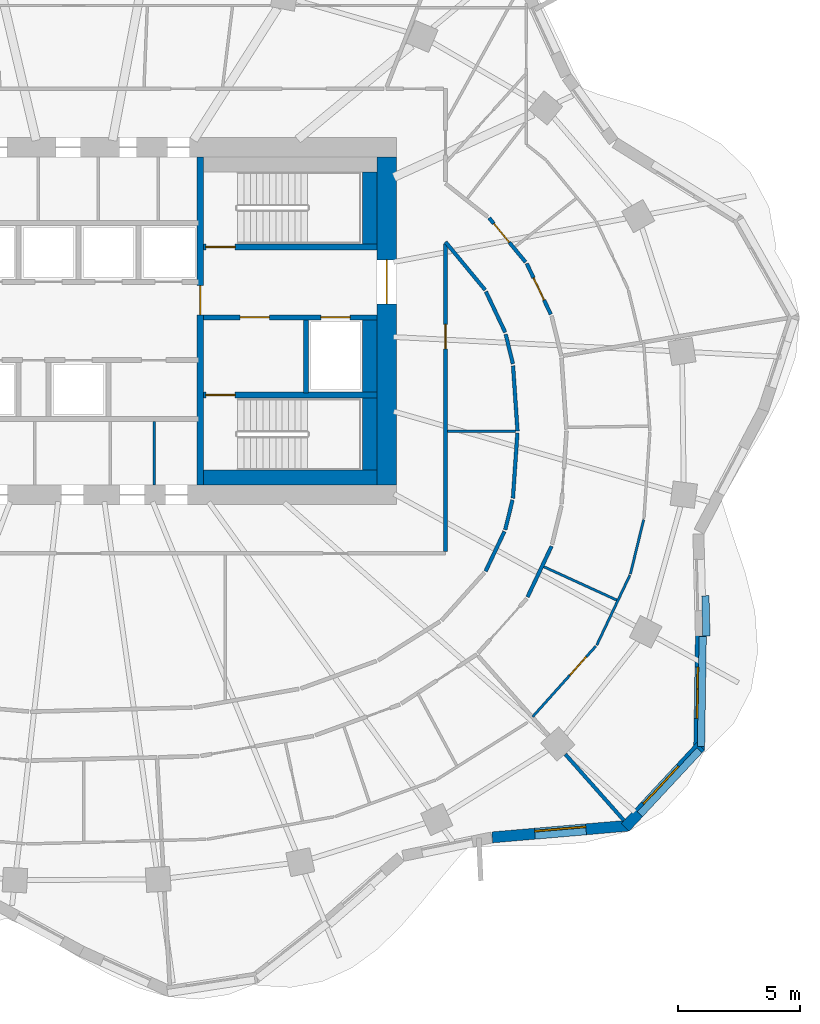
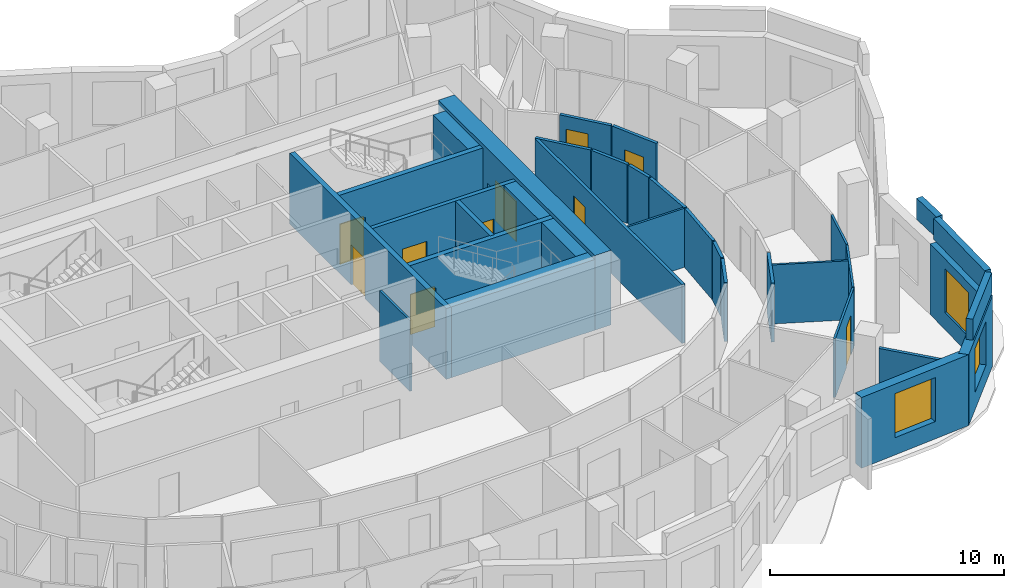
# One storey, part 7 of 12: 34 walls, 10 doors, 3 windows, 13 openings.
"""IFC4 building model written with IfcOpenShell, lengths in metres."""

from ifc_helpers import new_model, si_unit, direction, frame, frame_2d, origin, place, context, subcontext, project, spatial, rectangle, extrude, material, layer, layer_set, type_object, element, fill, save


model = new_model("IFC4")

# Units and contexts
model_context = context("Model", 3, precision=1e-05, world=origin(), true_north=direction((0.0, 1.0)))
body_context = subcontext(model_context, "Body", "Model", "MODEL_VIEW")
ifc_project = project(units=[si_unit("LENGTHUNIT", "METRE"), si_unit("AREAUNIT", "SQUARE_METRE"), si_unit("VOLUMEUNIT", "CUBIC_METRE"), si_unit("PLANEANGLEUNIT", "RADIAN"), si_unit("MASSUNIT", "GRAM", prefix="KILO")], contexts=[model_context])

# Site, building, storey
site_placement = place(None, origin())
site = spatial("IfcSite", under=ifc_project, at=site_placement, CompositionType="ELEMENT")
building_placement = place(site_placement, origin())
building = spatial("IfcBuilding", under=site, at=building_placement, Name="Rubra Terraces Tower", CompositionType="ELEMENT")
storey_placement = place(building_placement, frame((0.0, 0.0, 201.300048828125)))
storey = spatial("IfcBuildingStorey", under=building, at=storey_placement, Name="L49", CompositionType="ELEMENT", Elevation=201.300048828125)

# Wall, opening, window
ifc_material_1 = material(Name="Brick masonry red-brown", Category="masonry")
ifc_layer_1 = layer(ifc_material_1, 0.449951171875)
ifc_layer_set_1 = layer_set([ifc_layer_1], Name="Brick masonry red-brown")
wall_type_1 = type_object("IfcWallType", Name="Brick facade wall 450", PredefinedType="SOLIDWALL", material=ifc_layer_set_1)
wall_1_placement = place(storey_placement, frame((16.91015625, -16.610107421875, 0.0), z_axis=(0.0, 0.0, 1.0), x_axis=(0.996333165816, 0.085558299972, 0.0)))
wall_1 = element("IfcWall", 1, at=wall_1_placement, inside=storey, type_object=wall_type_1, Name="Facade wall L49 bay 36", PredefinedType="SOLIDWALL", context=body_context, shape_type="SweptSolid", body=[
    extrude(rectangle(XDim=5.595703125, YDim=0.449951171875, at=frame_2d((2.7978515625, 0.0))), origin(), (0.0, 0.0, 1.0), 3.699951171875),
])
opening_1_placement = place(wall_1_placement, frame((1.747802734375, 0.0, 0.89990234375)))
opening_1 = element("IfcOpeningElement", 2, at=opening_1_placement, cuts=wall_1, Name="Opening W1B", PredefinedType="OPENING", context=body_context, shape_type="SweptSolid", body=[
    extrude(rectangle(XDim=2.10009765625, YDim=2.300048828125, at=frame_2d((1.050048828125, 1.14990234375))), frame((0.0, 0.23486328125, 0.0), z_axis=(0.0, -1.0, 0.0), x_axis=(1.0, 0.0, 0.0)), (0.0, 0.0, 1.0), 0.469970703125),
])
ifc_material_2 = material(Name="Clear glass in aluminium frame", Category="aluminium")
window_type = type_object("IfcWindowType", Name="Fixed deep-set window tall storey 2100 x 2300", PartitioningType="SINGLE_PANEL", PredefinedType="WINDOW", material=ifc_material_2)
window_1_placement = place(opening_1_placement, origin())
window_1 = element("IfcWindow", 3, at=window_1_placement, inside=storey, type_object=window_type, Name="Window L49 bay 36", OverallHeight=2.300048828125, OverallWidth=2.10009765625, PartitioningType="SINGLE_PANEL", PredefinedType="WINDOW", context=body_context, shape_type="SweptSolid", body=[
    extrude(rectangle(XDim=2.10009765625, YDim=2.300048828125, at=frame_2d((1.050048828125, 1.14990234375))), frame((0.0, 0.135009765625, 0.0), z_axis=(0.0, -1.0, 0.0), x_axis=(1.0, 0.0, 0.0)), (0.0, 0.0, 1.0), 0.06005859375),
])
fill(opening_1, window_1)

wall_2_placement = place(storey_placement, frame((22.34521484375, -16.20166015625, 0.0), z_axis=(0.0, 0.0, 1.0), x_axis=(0.681249161265, 0.732051624051, 0.0)))
wall_2 = element("IfcWall", 4, at=wall_2_placement, inside=storey, type_object=wall_type_1, Name="Facade wall L49 bay 37", PredefinedType="SOLIDWALL", context=body_context, shape_type="SweptSolid", body=[
    extrude(rectangle(XDim=4.52685546875, YDim=0.449951171875, at=frame_2d((2.263427734375, 0.0))), origin(), (0.0, 0.0, 1.0), 3.699951171875),
])
opening_2_placement = place(wall_2_placement, frame((1.21337890625, 0.0, 0.89990234375)))
opening_2 = element("IfcOpeningElement", 5, at=opening_2_placement, cuts=wall_2, Name="Opening W1B", PredefinedType="OPENING", context=body_context, shape_type="SweptSolid", body=[
    extrude(rectangle(XDim=2.10009765625, YDim=2.300048828125, at=frame_2d((1.050048828125, 1.14990234375))), frame((0.0, 0.23486328125, 0.0), z_axis=(0.0, -1.0, 0.0), x_axis=(1.0, 0.0, 0.0)), (0.0, 0.0, 1.0), 0.469970703125),
])
window_2_placement = place(opening_2_placement, origin())
window_2 = element("IfcWindow", 6, at=window_2_placement, inside=storey, type_object=window_type, Name="Window L49 bay 37", OverallHeight=2.300048828125, OverallWidth=2.10009765625, PartitioningType="SINGLE_PANEL", PredefinedType="WINDOW", context=body_context, shape_type="SweptSolid", body=[
    extrude(rectangle(XDim=2.10009765625, YDim=2.300048828125, at=frame_2d((1.050048828125, 1.14990234375))), frame((0.0, 0.135009765625, 0.0), z_axis=(0.0, -1.0, 0.0), x_axis=(1.0, 0.0, 0.0)), (0.0, 0.0, 1.0), 0.06005859375),
])
fill(opening_2, window_2)

wall_3_placement = place(storey_placement, frame((25.369140625, -13.031982421875, 0.0), z_axis=(0.0, 0.0, 1.0), x_axis=(0.015383599855, 0.999881665426, 0.0)))
wall_3 = element("IfcWall", 7, at=wall_3_placement, inside=storey, type_object=wall_type_1, Name="Facade wall L49 bay 38", PredefinedType="SOLIDWALL", context=body_context, shape_type="SweptSolid", body=[
    extrude(rectangle(XDim=4.665771484375, YDim=0.449951171875, at=frame_2d((2.3330078125, 0.0))), origin(), (0.0, 0.0, 1.0), 3.699951171875),
])
opening_3_placement = place(wall_3_placement, frame((1.282958984375, 0.0, 0.89990234375)))
opening_3 = element("IfcOpeningElement", 8, at=opening_3_placement, cuts=wall_3, Name="Opening W1B", PredefinedType="OPENING", context=body_context, shape_type="SweptSolid", body=[
    extrude(rectangle(XDim=2.10009765625, YDim=2.300048828125, at=frame_2d((1.050048828125, 1.14990234375))), frame((0.0, 0.23486328125, 0.0), z_axis=(0.0, -1.0, 0.0), x_axis=(1.0, 0.0, 0.0)), (0.0, 0.0, 1.0), 0.469970703125),
])
window_3_placement = place(opening_3_placement, origin())
window_3 = element("IfcWindow", 9, at=window_3_placement, inside=storey, type_object=window_type, Name="Window L49 bay 38", OverallHeight=2.300048828125, OverallWidth=2.10009765625, PartitioningType="SINGLE_PANEL", PredefinedType="WINDOW", context=body_context, shape_type="SweptSolid", body=[
    extrude(rectangle(XDim=2.10009765625, YDim=2.300048828125, at=frame_2d((1.050048828125, 1.14990234375))), frame((0.0, 0.135009765625, 0.0), z_axis=(0.0, -1.0, 0.0), x_axis=(1.0, 0.0, 0.0)), (0.0, 0.0, 1.0), 0.06005859375),
])
fill(opening_3, window_3)

# Walls
ifc_layer_2 = layer(ifc_material_1, 0.300048828125)
ifc_layer_set_2 = layer_set([ifc_layer_2], Name="Brick masonry red-brown")
wall_type_2 = type_object("IfcWallType", Name="Brick parapet 300", PredefinedType="PARAPET", material=ifc_layer_set_2)
wall_4_placement = place(storey_placement, frame((22.947509765625, -15.66455078125, 3.89990234375), z_axis=(0.0, 0.0, 1.0), x_axis=(0.681269800001, 0.732032417046, 0.0)))
element("IfcWall", 10, at=wall_4_placement, inside=storey, type_object=wall_type_2, Name="Parapet L49 bay 37", PredefinedType="PARAPET", context=body_context, shape_type="SweptSolid", body=[
    extrude(rectangle(XDim=3.578125, YDim=0.300048828125, at=frame_2d((1.7890625, 0.0))), origin(), (0.0, 0.0, 1.0), 1.10009765625),
])
wall_5_placement = place(storey_placement, frame((25.4462890625, -12.893310546875, 3.89990234375), z_axis=(0.0, 0.0, 1.0), x_axis=(0.015386139974, 0.999881626342, 0.0)))
element("IfcWall", 11, at=wall_5_placement, inside=storey, type_object=wall_type_2, Name="Parapet L49 bay 38", PredefinedType="PARAPET", context=body_context, shape_type="SweptSolid", body=[
    extrude(rectangle(XDim=4.490478515625, YDim=0.300048828125, at=frame_2d((2.2451171875, 0.0))), origin(), (0.0, 0.0, 1.0), 1.10009765625),
])
wall_6_placement = place(storey_placement, frame((25.665771484375, -8.375732421875, 3.89990234375), z_axis=(0.0, 0.0, 1.0), x_axis=(-0.024357650064, 0.999703308429, 0.0)))
element("IfcWall", 12, at=wall_6_placement, inside=storey, type_object=wall_type_2, Name="Parapet L49 bay 39", PredefinedType="PARAPET", context=body_context, shape_type="SweptSolid", body=[
    extrude(rectangle(XDim=1.643798828125, YDim=0.300048828125, at=frame_2d((0.82177734375, 0.0))), origin(), (0.0, 0.0, 1.0), 1.10009765625),
])

# Wall, opening, door
ifc_material_3 = material(Name="Concrete C50", Category="concrete")
ifc_layer_3 = layer(ifc_material_3, 0.800048828125)
ifc_layer_set_3 = layer_set([ifc_layer_3], Name="Concrete C50")
wall_type_3 = type_object("IfcWallType", Name="CORE WALL 800 C50", PredefinedType="SHEAR", material=ifc_layer_set_3)
wall_7_placement = place(storey_placement, frame((12.60009765625, -2.199951171875, 0.0), z_axis=(0.0, 0.0, 1.0), x_axis=(0.0, 1.0, 0.0)))
wall_7 = element("IfcWall", 13, at=wall_7_placement, inside=storey, type_object=wall_type_3, Name="CORE WALL E L49", PredefinedType="SHEAR", context=body_context, shape_type="SweptSolid", body=[
    extrude(rectangle(XDim=13.39990234375, YDim=0.800048828125, at=frame_2d((6.699951171875, 0.0))), origin(), (0.0, 0.0, 1.0), 3.89990234375),
])
opening_4_placement = place(wall_7_placement, frame((7.39990234375, 0.0, 0.0)))
opening_4 = element("IfcOpeningElement", 14, at=opening_4_placement, cuts=wall_7, Name="Opening L49.C02", PredefinedType="OPENING", context=body_context, shape_type="SweptSolid", body=[
    extrude(rectangle(XDim=1.800048828125, YDim=2.10009765625, at=frame_2d((0.89990234375, 1.050048828125))), frame((0.0, 0.409912109375, 0.0), z_axis=(0.0, -1.0, 0.0), x_axis=(1.0, 0.0, 0.0)), (0.0, 0.0, 1.0), 0.820068359375),
])
ifc_material_4 = material(Name="Painted steel", Category="steel")
door_type_1 = type_object("IfcDoorType", Name="Fire door 1800x2100 double", OperationType="NOTDEFINED", PredefinedType="DOOR", material=ifc_material_4)
door_1_placement = place(opening_4_placement, origin())
door_1 = element("IfcDoor", 15, at=door_1_placement, inside=storey, type_object=door_type_1, Name="Core entrance door FF2", OperationType="DOUBLE_DOOR_SINGLE_SWING", OverallHeight=2.10009765625, OverallWidth=1.800048828125, PredefinedType="DOOR", context=body_context, shape_type="SweptSolid", body=[
    extrude(rectangle(XDim=1.800048828125, YDim=2.10009765625, at=frame_2d((0.89990234375, 1.050048828125))), frame((0.0, 0.02490234375, 0.0), z_axis=(0.0, -1.0, 0.0), x_axis=(1.0, 0.0, 0.0)), (0.0, 0.0, 1.0), 0.050048828125),
])
fill(opening_4, door_1)

ifc_material_5 = material(Name="Plasterboard on steel stud, mineral wool infill", Category="steel")
ifc_layer_4 = layer(ifc_material_5, 0.14990234375)
ifc_layer_set_4 = layer_set([ifc_layer_4], Name="Plasterboard on steel stud, mineral wool infill")
wall_type_4 = type_object("IfcWallType", Name="CORRIDOR PARTITION 150", PredefinedType="PARTITIONING", material=ifc_layer_set_4)
wall_8_placement = place(storey_placement, frame((19.305419921875, 4.7734375, 0.0), z_axis=(0.0, 0.0, 1.0), x_axis=(-0.428173054138, 0.903696760927, 0.0)))
wall_8 = element("IfcWall", 16, at=wall_8_placement, inside=storey, type_object=wall_type_4, Name="PARTITION", PredefinedType="PARTITIONING", context=body_context, shape_type="SweptSolid", body=[
    extrude(rectangle(XDim=2.299560546875, YDim=0.14990234375, at=frame_2d((1.14990234375, 0.0))), origin(), (0.0, 0.0, 1.0), 3.083984375),
])
opening_5_placement = place(wall_8_placement, frame((0.64990234375, 0.0, 0.0)))
opening_5 = element("IfcOpeningElement", 17, at=opening_5_placement, cuts=wall_8, Name="Opening 49-138", PredefinedType="OPENING", context=body_context, shape_type="SweptSolid", body=[
    extrude(rectangle(XDim=1.0, YDim=2.10009765625, at=frame_2d((0.5, 1.050048828125))), frame((0.0, 0.0849609375, 0.0), z_axis=(0.0, -1.0, 0.0), x_axis=(1.0, 0.0, 0.0)), (0.0, 0.0, 1.0), 0.169921875),
])
ifc_material_6 = material(Name="Painted timber door leaf", Category="wood")
door_type_2 = type_object("IfcDoorType", Name="ROOM DOOR 1000 X 2100", OperationType="SINGLE_SWING_LEFT", PredefinedType="DOOR", material=ifc_material_6)
door_2_placement = place(opening_5_placement, origin())
door_2 = element("IfcDoor", 18, at=door_2_placement, inside=storey, type_object=door_type_2, Name="DOOR 49-138", OperationType="SINGLE_SWING_RIGHT", OverallHeight=2.10009765625, OverallWidth=1.0, PredefinedType="DOOR", context=body_context, shape_type="SweptSolid", body=[
    extrude(rectangle(XDim=1.0, YDim=2.10009765625, at=frame_2d((0.5, 1.050048828125))), frame((0.0, 0.02490234375, 0.0), z_axis=(0.0, -1.0, 0.0), x_axis=(1.0, 0.0, 0.0)), (0.0, 0.0, 1.0), 0.050048828125),
])
fill(opening_5, door_2)

wall_9_placement = place(storey_placement, frame((18.273193359375, 6.9091796875, 0.0), z_axis=(0.0, 0.0, 1.0), x_axis=(-0.63653648943, 0.771246586783, 0.0)))
wall_9 = element("IfcWall", 19, at=wall_9_placement, inside=storey, type_object=wall_type_4, Name="PARTITION", PredefinedType="PARTITIONING", context=body_context, shape_type="SweptSolid", body=[
    extrude(rectangle(XDim=2.341552734375, YDim=0.14990234375, at=frame_2d((1.1708984375, 0.0))), origin(), (0.0, 0.0, 1.0), 3.083984375),
])
opening_6_placement = place(wall_9_placement, frame((1.041015625, 0.0, 0.0)))
opening_6 = element("IfcOpeningElement", 20, at=opening_6_placement, cuts=wall_9, Name="Opening 49-102", PredefinedType="OPENING", context=body_context, shape_type="SweptSolid", body=[
    extrude(rectangle(XDim=1.0, YDim=2.39990234375, at=frame_2d((0.5, 1.199951171875))), frame((0.0, 0.0849609375, 0.0), z_axis=(0.0, -1.0, 0.0), x_axis=(1.0, 0.0, 0.0)), (0.0, 0.0, 1.0), 0.169921875),
])
ifc_material_7 = material(Name="Glazed aluminium meeting door leaf", Category="aluminium")
door_type_3 = type_object("IfcDoorType", Name="MEETING ROOM GLAZED DOOR 1000 X 2400", OperationType="SINGLE_SWING_LEFT", PredefinedType="DOOR", material=ifc_material_7)
door_3_placement = place(opening_6_placement, origin())
door_3 = element("IfcDoor", 21, at=door_3_placement, inside=storey, type_object=door_type_3, Name="DOOR 49-102", OperationType="SINGLE_SWING_RIGHT", OverallHeight=2.39990234375, OverallWidth=1.0, PredefinedType="DOOR", context=body_context, shape_type="SweptSolid", body=[
    extrude(rectangle(XDim=1.0, YDim=2.39990234375, at=frame_2d((0.5, 1.199951171875))), frame((0.0, 0.02490234375, 0.0), z_axis=(0.0, -1.0, 0.0), x_axis=(1.0, 0.0, 0.0)), (0.0, 0.0, 1.0), 0.050048828125),
])
fill(opening_6, door_3)

# Walls
wall_10_placement = place(storey_placement, frame((18.35302734375, -6.78369140625, 0.0), z_axis=(0.0, 0.0, 1.0), x_axis=(0.428086344739, 0.903737838894, 0.0)))
element("IfcWall", 22, at=wall_10_placement, inside=storey, type_object=wall_type_4, Name="PARTITION", PredefinedType="PARTITIONING", context=body_context, shape_type="SweptSolid", body=[
    extrude(rectangle(XDim=2.299560546875, YDim=0.14990234375, at=frame_2d((1.14990234375, 0.0))), origin(), (0.0, 0.0, 1.0), 3.083984375),
])
wall_11_placement = place(storey_placement, frame((15.0, 7.73291015625, 0.0), z_axis=(0.0, 0.0, 1.0), x_axis=(0.636601263488, -0.771193121938, 0.0)))
element("IfcWall", 23, at=wall_11_placement, inside=storey, type_object=wall_type_4, Name="PARTITION", PredefinedType="PARTITIONING", context=body_context, shape_type="SweptSolid", body=[
    extrude(rectangle(XDim=2.544921875, YDim=0.14990234375, at=frame_2d((1.2724609375, 0.0))), origin(), (0.0, 0.0, 1.0), 3.083984375),
])
wall_12_placement = place(storey_placement, frame((16.652099609375, 5.702392578125, 0.0), z_axis=(0.0, 0.0, 1.0), x_axis=(0.428126129773, -0.903718992279, 0.0)))
element("IfcWall", 24, at=wall_12_placement, inside=storey, type_object=wall_type_4, Name="PARTITION", PredefinedType="PARTITIONING", context=body_context, shape_type="SweptSolid", body=[
    extrude(rectangle(XDim=1.846435546875, YDim=0.14990234375, at=frame_2d((0.92333984375, 0.0))), origin(), (0.0, 0.0, 1.0), 3.083984375),
])
wall_13_placement = place(storey_placement, frame((17.46044921875, 3.9609375, 0.0), z_axis=(0.0, 0.0, 1.0), x_axis=(0.236655249498, -0.971593687137, 0.0)))
element("IfcWall", 25, at=wall_13_placement, inside=storey, type_object=wall_type_4, Name="PARTITION", PredefinedType="PARTITIONING", context=body_context, shape_type="SweptSolid", body=[
    extrude(rectangle(XDim=1.25146484375, YDim=0.14990234375, at=frame_2d((0.625732421875, 0.0))), origin(), (0.0, 0.0, 1.0), 3.083984375),
])
wall_14_placement = place(storey_placement, frame((17.76171875, 2.67041015625, 0.0), z_axis=(0.0, 0.0, 1.0), x_axis=(0.068135311644, -0.997676089373, 0.0)))
element("IfcWall", 26, at=wall_14_placement, inside=storey, type_object=wall_type_4, Name="PARTITION", PredefinedType="PARTITIONING", context=body_context, shape_type="SweptSolid", body=[
    extrude(rectangle(XDim=2.676513671875, YDim=0.14990234375, at=frame_2d((1.33837890625, 0.0))), origin(), (0.0, 0.0, 1.0), 3.083984375),
])
wall_15_placement = place(storey_placement, frame((17.939208984375, -0.07470703125, 0.0), z_axis=(0.0, 0.0, 1.0), x_axis=(-0.068226099283, -0.99766988497, 0.0)))
element("IfcWall", 27, at=wall_15_placement, inside=storey, type_object=wall_type_4, Name="PARTITION", PredefinedType="PARTITIONING", context=body_context, shape_type="SweptSolid", body=[
    extrude(rectangle(XDim=2.6767578125, YDim=0.14990234375, at=frame_2d((1.33837890625, 0.0))), origin(), (0.0, 0.0, 1.0), 3.083984375),
])
wall_16_placement = place(storey_placement, frame((17.739013671875, -2.818115234375, 0.0), z_axis=(0.0, 0.0, 1.0), x_axis=(-0.236884307907, -0.971537865792, 0.0)))
element("IfcWall", 28, at=wall_16_placement, inside=storey, type_object=wall_type_4, Name="PARTITION", PredefinedType="PARTITIONING", context=body_context, shape_type="SweptSolid", body=[
    extrude(rectangle(XDim=1.251220703125, YDim=0.14990234375, at=frame_2d((0.62548828125, 0.0))), origin(), (0.0, 0.0, 1.0), 3.083984375),
])
wall_17_placement = place(storey_placement, frame((17.410400390625, -4.1015625, 0.0), z_axis=(0.0, 0.0, 1.0), x_axis=(-0.428074720318, -0.903743345107, 0.0)))
element("IfcWall", 29, at=wall_17_placement, inside=storey, type_object=wall_type_4, Name="PARTITION", PredefinedType="PARTITIONING", context=body_context, shape_type="SweptSolid", body=[
    extrude(rectangle(XDim=1.8056640625, YDim=0.14990234375, at=frame_2d((0.90283203125, 0.0))), origin(), (0.0, 0.0, 1.0), 3.083984375),
])

# Wall, opening, door
wall_18_placement = place(storey_placement, frame((15.0, -4.925048828125, 0.0), z_axis=(0.0, 0.0, 1.0), x_axis=(0.0, 1.0, 0.0)))
wall_18 = element("IfcWall", 30, at=wall_18_placement, inside=storey, type_object=wall_type_4, Name="PARTITION", PredefinedType="PARTITIONING", context=body_context, shape_type="SweptSolid", body=[
    extrude(rectangle(XDim=12.5830078125, YDim=0.14990234375, at=frame_2d((6.29150390625, 0.0))), origin(), (0.0, 0.0, 1.0), 3.083984375),
])
opening_7_placement = place(wall_18_placement, frame((8.291015625, 0.0, 0.0)))
opening_7 = element("IfcOpeningElement", 31, at=opening_7_placement, cuts=wall_18, Name="Opening 49-136", PredefinedType="OPENING", context=body_context, shape_type="SweptSolid", body=[
    extrude(rectangle(XDim=1.0, YDim=2.10009765625, at=frame_2d((0.5, 1.050048828125))), frame((0.0, 0.0849609375, 0.0), z_axis=(0.0, -1.0, 0.0), x_axis=(1.0, 0.0, 0.0)), (0.0, 0.0, 1.0), 0.169921875),
])
door_4_placement = place(opening_7_placement, origin())
door_4 = element("IfcDoor", 32, at=door_4_placement, inside=storey, type_object=door_type_2, Name="DOOR 49-136", OperationType="SINGLE_SWING_RIGHT", OverallHeight=2.10009765625, OverallWidth=1.0, PredefinedType="DOOR", context=body_context, shape_type="SweptSolid", body=[
    extrude(rectangle(XDim=1.0, YDim=2.10009765625, at=frame_2d((0.5, 1.050048828125))), frame((0.0, 0.02490234375, 0.0), z_axis=(0.0, -1.0, 0.0), x_axis=(1.0, 0.0, 0.0)), (0.0, 0.0, 1.0), 0.050048828125),
])
fill(opening_7, door_4)

# Walls
ifc_material_8 = material(Name="Concrete C40", Category="concrete")
ifc_layer_5 = layer(ifc_material_8, 0.60009765625)
ifc_layer_set_5 = layer_set([ifc_layer_5], Name="Concrete C40")
wall_type_5 = type_object("IfcWallType", Name="Core lining wall 600 concrete", PredefinedType="SOLIDWALL", material=ifc_layer_set_5)
wall_19_placement = place(storey_placement, frame((11.89990234375, 10.60009765625, 0.0), z_axis=(0.0, 0.0, 1.0), x_axis=(0.0, -1.0, 0.0)))
element("IfcWall", 33, at=wall_19_placement, inside=storey, type_object=wall_type_5, Name="CORE LINING WALL L49", PredefinedType="SOLIDWALL", context=body_context, shape_type="SweptSolid", body=[
    extrude(rectangle(XDim=2.9501953125, YDim=0.60009765625, at=frame_2d((1.47509765625, 0.0))), origin(), (0.0, 0.0, 1.0), 3.699951171875),
])
wall_20_placement = place(storey_placement, frame((11.89990234375, 4.550048828125, 0.0), z_axis=(0.0, 0.0, 1.0), x_axis=(0.0, -1.0, 0.0)))
element("IfcWall", 34, at=wall_20_placement, inside=storey, type_object=wall_type_5, Name="CORE LINING WALL L49", PredefinedType="SOLIDWALL", context=body_context, shape_type="SweptSolid", body=[
    extrude(rectangle(XDim=3.0, YDim=0.60009765625, at=frame_2d((1.5, 0.0))), origin(), (0.0, 0.0, 1.0), 3.699951171875),
])
wall_21_placement = place(storey_placement, frame((11.89990234375, 1.35009765625, 0.0), z_axis=(0.0, 0.0, 1.0), x_axis=(0.0, -1.0, 0.0)))
element("IfcWall", 35, at=wall_21_placement, inside=storey, type_object=wall_type_5, Name="CORE LINING WALL L49", PredefinedType="SOLIDWALL", context=body_context, shape_type="SweptSolid", body=[
    extrude(rectangle(XDim=2.9501953125, YDim=0.60009765625, at=frame_2d((1.47509765625, 0.0))), origin(), (0.0, 0.0, 1.0), 3.699951171875),
])
wall_22_placement = place(storey_placement, frame((12.199951171875, -1.89990234375, 0.0), z_axis=(0.0, 0.0, 1.0), x_axis=(-1.0, 0.0, 0.0)))
element("IfcWall", 36, at=wall_22_placement, inside=storey, type_object=wall_type_5, Name="CORE LINING WALL L49", PredefinedType="SOLIDWALL", context=body_context, shape_type="SweptSolid", body=[
    extrude(rectangle(XDim=7.099853515625, YDim=0.60009765625, at=frame_2d((3.5498046875, 0.0))), origin(), (0.0, 0.0, 1.0), 3.699951171875),
])

# Wall, openings, doors
ifc_material_9 = material(Name="Concrete C30", Category="concrete")
ifc_layer_6 = layer(ifc_material_9, 0.199951171875)
ifc_layer_set_6 = layer_set([ifc_layer_6], Name="Concrete C30")
wall_type_6 = type_object("IfcWallType", Name="Core wall 200 concrete", PredefinedType="SOLIDWALL", material=ifc_layer_set_6)
wall_23_placement = place(storey_placement, frame((12.199951171875, 4.64990234375, 0.0), z_axis=(0.0, 0.0, 1.0), x_axis=(-1.0, 0.0, 0.0)))
wall_23 = element("IfcWall", 37, at=wall_23_placement, inside=storey, type_object=wall_type_6, Name="STAIR WALL L49", PredefinedType="SOLIDWALL", context=body_context, shape_type="SweptSolid", body=[
    extrude(rectangle(XDim=7.099853515625, YDim=0.199951171875, at=frame_2d((3.5498046875, 0.0))), origin(), (0.0, 0.0, 1.0), 3.699951171875),
])
opening_8_placement = place(wall_23_placement, frame((4.39990234375, 0.0, 0.0)))
opening_8 = element("IfcOpeningElement", 38, at=opening_8_placement, cuts=wall_23, Name="Opening L49.C06", PredefinedType="OPENING", context=body_context, shape_type="SweptSolid", body=[
    extrude(rectangle(XDim=1.199951171875, YDim=2.10009765625, at=frame_2d((0.60009765625, 1.050048828125))), frame((0.0, 0.10986328125, 0.0), z_axis=(0.0, -1.0, 0.0), x_axis=(1.0, 0.0, 0.0)), (0.0, 0.0, 1.0), 0.219970703125),
])
opening_9_placement = place(wall_23_placement, frame((1.10009765625, 0.0, 0.0)))
opening_9 = element("IfcOpeningElement", 39, at=opening_9_placement, cuts=wall_23, Name="Opening L49.C12", PredefinedType="OPENING", context=body_context, shape_type="SweptSolid", body=[
    extrude(rectangle(XDim=1.199951171875, YDim=2.10009765625, at=frame_2d((0.60009765625, 1.050048828125))), frame((0.0, 0.10986328125, 0.0), z_axis=(0.0, -1.0, 0.0), x_axis=(1.0, 0.0, 0.0)), (0.0, 0.0, 1.0), 0.219970703125),
])
door_type_4 = type_object("IfcDoorType", Name="Fire door 1200x2100 single", OperationType="NOTDEFINED", PredefinedType="DOOR", material=ifc_material_4)
door_5_placement = place(opening_8_placement, origin())
door_5 = element("IfcDoor", 40, at=door_5_placement, inside=storey, type_object=door_type_4, Name="Stair vestibule door S4", OperationType="SINGLE_SWING_RIGHT", OverallHeight=2.10009765625, OverallWidth=1.199951171875, PredefinedType="DOOR", context=body_context, shape_type="SweptSolid", body=[
    extrude(rectangle(XDim=1.199951171875, YDim=2.10009765625, at=frame_2d((0.60009765625, 1.050048828125))), frame((0.0, 0.02490234375, 0.0), z_axis=(0.0, -1.0, 0.0), x_axis=(1.0, 0.0, 0.0)), (0.0, 0.0, 1.0), 0.050048828125),
])
fill(opening_8, door_5)
ifc_material_10 = material(Name="Stainless steel", Category="steel")
door_type_5 = type_object("IfcDoorType", Name="Lift landing door 1200x2100", OperationType="NOTDEFINED", PredefinedType="DOOR", material=ifc_material_10)
door_6_placement = place(opening_9_placement, origin())
door_6 = element("IfcDoor", 41, at=door_6_placement, inside=storey, type_object=door_type_5, Name="Landing door FF2", OperationType="SLIDING_TO_RIGHT", OverallHeight=2.10009765625, OverallWidth=1.199951171875, PredefinedType="DOOR", context=body_context, shape_type="SweptSolid", body=[
    extrude(rectangle(XDim=1.199951171875, YDim=2.10009765625, at=frame_2d((0.60009765625, 1.050048828125))), frame((0.0, 0.02490234375, 0.0), z_axis=(0.0, -1.0, 0.0), x_axis=(1.0, 0.0, 0.0)), (0.0, 0.0, 1.0), 0.050048828125),
])
fill(opening_9, door_6)

# Walls
wall_24_placement = place(storey_placement, frame((9.300048828125, 4.550048828125, 0.0), z_axis=(0.0, 0.0, 1.0), x_axis=(0.0, -1.0, 0.0)))
element("IfcWall", 42, at=wall_24_placement, inside=storey, type_object=wall_type_6, Name="STAIR WALL L49", PredefinedType="SOLIDWALL", context=body_context, shape_type="SweptSolid", body=[
    extrude(rectangle(XDim=3.0, YDim=0.199951171875, at=frame_2d((1.5, 0.0))), origin(), (0.0, 0.0, 1.0), 3.699951171875),
])
ifc_material_11 = material(Name="Plasterboard on steel stud", Category="steel")
ifc_layer_7 = layer(ifc_material_11, 0.10009765625)
ifc_layer_set_7 = layer_set([ifc_layer_7], Name="Plasterboard on steel stud")
wall_type_7 = type_object("IfcWallType", Name="ROOM PARTITION 100", PredefinedType="PARTITIONING", material=ifc_layer_set_7)
wall_25_placement = place(storey_placement, frame((23.100830078125, -3.623046875, 0.0), z_axis=(0.0, 0.0, 1.0), x_axis=(-0.236811358433, -0.971555649727, 0.0)))
element("IfcWall", 43, at=wall_25_placement, inside=storey, type_object=wall_type_7, Name="PARTITION", PredefinedType="PARTITIONING", context=body_context, shape_type="SweptSolid", body=[
    extrude(rectangle(XDim=2.289794921875, YDim=0.10009765625, at=frame_2d((1.14501953125, 0.0))), origin(), (0.0, 0.0, 1.0), 3.083984375),
])
wall_26_placement = place(storey_placement, frame((22.537109375, -5.892822265625, 0.0), z_axis=(0.0, 0.0, 1.0), x_axis=(-0.428099612517, -0.903731554037, 0.0)))
element("IfcWall", 44, at=wall_26_placement, inside=storey, type_object=wall_type_7, Name="PARTITION", PredefinedType="PARTITIONING", context=body_context, shape_type="SweptSolid", body=[
    extrude(rectangle(XDim=3.1640625, YDim=0.10009765625, at=frame_2d((1.58203125, 0.0))), origin(), (0.0, 0.0, 1.0), 3.083984375),
])

# Wall, opening, door
wall_27_placement = place(storey_placement, frame((21.1494140625, -8.789306640625, 0.0), z_axis=(0.0, 0.0, 1.0), x_axis=(-0.666936636431, -0.745114436168, 0.0)))
wall_27 = element("IfcWall", 45, at=wall_27_placement, inside=storey, type_object=wall_type_7, Name="PARTITION", PredefinedType="PARTITIONING", context=body_context, shape_type="SweptSolid", body=[
    extrude(rectangle(XDim=3.87548828125, YDim=0.10009765625, at=frame_2d((1.937744140625, 0.0))), origin(), (0.0, 0.0, 1.0), 3.083984375),
])
opening_10_placement = place(wall_27_placement, frame((0.593994140625, 0.0, 0.0)))
opening_10 = element("IfcOpeningElement", 46, at=opening_10_placement, cuts=wall_27, Name="Opening 49-129", PredefinedType="OPENING", context=body_context, shape_type="SweptSolid", body=[
    extrude(rectangle(XDim=1.0, YDim=2.10009765625, at=frame_2d((0.5, 1.050048828125))), frame((0.0, 0.06005859375, 0.0), z_axis=(0.0, -1.0, 0.0), x_axis=(1.0, 0.0, 0.0)), (0.0, 0.0, 1.0), 0.1201171875),
])
door_7_placement = place(opening_10_placement, origin())
door_7 = element("IfcDoor", 47, at=door_7_placement, inside=storey, type_object=door_type_2, Name="DOOR 49-129", OperationType="SINGLE_SWING_RIGHT", OverallHeight=2.10009765625, OverallWidth=1.0, PredefinedType="DOOR", context=body_context, shape_type="SweptSolid", body=[
    extrude(rectangle(XDim=1.0, YDim=2.10009765625, at=frame_2d((0.5, 1.050048828125))), frame((0.0, 0.02490234375, 0.0), z_axis=(0.0, -1.0, 0.0), x_axis=(1.0, 0.0, 0.0)), (0.0, 0.0, 1.0), 0.050048828125),
])
fill(opening_10, door_7)

# Walls
wall_28_placement = place(storey_placement, frame((19.021728515625, -5.547119140625, 0.0), z_axis=(0.0, 0.0, 1.0), x_axis=(0.909573496754, -0.415543083209, 0.0)))
element("IfcWall", 48, at=wall_28_placement, inside=storey, type_object=wall_type_7, Name="PARTITION", PredefinedType="PARTITIONING", context=body_context, shape_type="SweptSolid", body=[
    extrude(rectangle(XDim=3.275390625, YDim=0.10009765625, at=frame_2d((1.6376953125, 0.0))), origin(), (0.0, 0.0, 1.0), 3.083984375),
])
wall_29_placement = place(storey_placement, frame((15.074951171875, 0.0, 0.0), z_axis=(0.0, 0.0, 1.0), x_axis=(1.0, 0.0, 0.0)))
element("IfcWall", 49, at=wall_29_placement, inside=storey, type_object=wall_type_7, Name="PARTITION", PredefinedType="PARTITIONING", context=body_context, shape_type="SweptSolid", body=[
    extrude(rectangle(XDim=2.794189453125, YDim=0.10009765625, at=frame_2d((1.39697265625, 0.0))), origin(), (0.0, 0.0, 1.0), 3.083984375),
])
ifc_layer_8 = layer(ifc_material_11, 0.14990234375)
ifc_layer_set_8 = layer_set([ifc_layer_8], Name="Plasterboard on steel stud")
wall_type_8 = type_object("IfcWallType", Name="ROOM PARTITION 150", PredefinedType="PARTITIONING", material=ifc_layer_set_8)
wall_30_placement = place(storey_placement, frame((22.295166015625, -15.91796875, 0.0), z_axis=(0.0, 0.0, 1.0), x_axis=(-0.663108813626, 0.748523013201, 0.0)))
element("IfcWall", 50, at=wall_30_placement, inside=storey, type_object=wall_type_8, Name="PARTITION", PredefinedType="PARTITIONING", context=body_context, shape_type="SweptSolid", body=[
    extrude(rectangle(XDim=3.61279296875, YDim=0.14990234375, at=frame_2d((1.806396484375, 0.0))), origin(), (0.0, 0.0, 1.0), 3.083984375),
])
ifc_material_12 = material(Name="Blockwork", Category="masonry")
ifc_layer_9 = layer(ifc_material_12, 0.10009765625)
ifc_layer_set_9 = layer_set([ifc_layer_9], Name="Blockwork")
wall_type_9 = type_object("IfcWallType", Name="Service partition 100 blockwork", PredefinedType="PARTITIONING", material=ifc_layer_set_9)
wall_31_placement = place(storey_placement, frame((3.10009765625, -2.199951171875, 0.0), z_axis=(0.0, 0.0, 1.0), x_axis=(0.0, 1.0, 0.0)))
element("IfcWall", 51, at=wall_31_placement, inside=storey, type_object=wall_type_9, Name="SERVICE ROOM PARTITION L49", PredefinedType="PARTITIONING", context=body_context, shape_type="SweptSolid", body=[
    extrude(rectangle(XDim=2.599853515625, YDim=0.10009765625, at=frame_2d((1.2998046875, 0.0))), origin(), (0.0, 0.0, 1.0), 3.699951171875),
])

# Wall, opening, door
ifc_layer_10 = layer(ifc_material_8, 0.25)
ifc_layer_set_10 = layer_set([ifc_layer_10], Name="Concrete C40")
wall_type_10 = type_object("IfcWallType", Name="Stair enclosure wall 250 concrete", PredefinedType="SOLIDWALL", material=ifc_layer_set_10)
wall_32_placement = place(storey_placement, frame((12.199951171875, 7.52490234375, 0.0), z_axis=(0.0, 0.0, 1.0), x_axis=(-1.0, 0.0, 0.0)))
wall_32 = element("IfcWall", 52, at=wall_32_placement, inside=storey, type_object=wall_type_10, Name="STAIR WALL L49", PredefinedType="SOLIDWALL", context=body_context, shape_type="SweptSolid", body=[
    extrude(rectangle(XDim=7.099853515625, YDim=0.25, at=frame_2d((3.5498046875, 0.0))), origin(), (0.0, 0.0, 1.0), 3.699951171875),
])
opening_11_placement = place(wall_32_placement, frame((5.800048828125, 0.0, 0.0)))
opening_11 = element("IfcOpeningElement", 53, at=opening_11_placement, cuts=wall_32, Name="Opening L49.C08", PredefinedType="OPENING", context=body_context, shape_type="SweptSolid", body=[
    extrude(rectangle(XDim=1.199951171875, YDim=2.10009765625, at=frame_2d((0.60009765625, 1.050048828125))), frame((0.0, 0.135009765625, 0.0), z_axis=(0.0, -1.0, 0.0), x_axis=(1.0, 0.0, 0.0)), (0.0, 0.0, 1.0), 0.27001953125),
])
door_8_placement = place(opening_11_placement, origin())
door_8 = element("IfcDoor", 54, at=door_8_placement, inside=storey, type_object=door_type_4, Name="Stair door S3", OperationType="SINGLE_SWING_RIGHT", OverallHeight=2.10009765625, OverallWidth=1.199951171875, PredefinedType="DOOR", context=body_context, shape_type="SweptSolid", body=[
    extrude(rectangle(XDim=1.199951171875, YDim=2.10009765625, at=frame_2d((0.60009765625, 1.050048828125))), frame((0.0, 0.02490234375, 0.0), z_axis=(0.0, -1.0, 0.0), x_axis=(1.0, 0.0, 0.0)), (0.0, 0.0, 1.0), 0.050048828125),
])
fill(opening_11, door_8)

wall_33_placement = place(storey_placement, frame((12.199951171875, 1.47509765625, 0.0), z_axis=(0.0, 0.0, 1.0), x_axis=(-1.0, 0.0, 0.0)))
wall_33 = element("IfcWall", 55, at=wall_33_placement, inside=storey, type_object=wall_type_10, Name="STAIR WALL L49", PredefinedType="SOLIDWALL", context=body_context, shape_type="SweptSolid", body=[
    extrude(rectangle(XDim=7.099853515625, YDim=0.25, at=frame_2d((3.5498046875, 0.0))), origin(), (0.0, 0.0, 1.0), 3.699951171875),
])
opening_12_placement = place(wall_33_placement, frame((5.800048828125, 0.0, 0.0)))
opening_12 = element("IfcOpeningElement", 56, at=opening_12_placement, cuts=wall_33, Name="Opening L49.C10", PredefinedType="OPENING", context=body_context, shape_type="SweptSolid", body=[
    extrude(rectangle(XDim=1.199951171875, YDim=2.10009765625, at=frame_2d((0.60009765625, 1.050048828125))), frame((0.0, 0.135009765625, 0.0), z_axis=(0.0, -1.0, 0.0), x_axis=(1.0, 0.0, 0.0)), (0.0, 0.0, 1.0), 0.27001953125),
])
door_9_placement = place(opening_12_placement, origin())
door_9 = element("IfcDoor", 57, at=door_9_placement, inside=storey, type_object=door_type_4, Name="Stair door S4", OperationType="SINGLE_SWING_RIGHT", OverallHeight=2.10009765625, OverallWidth=1.199951171875, PredefinedType="DOOR", context=body_context, shape_type="SweptSolid", body=[
    extrude(rectangle(XDim=1.199951171875, YDim=2.10009765625, at=frame_2d((0.60009765625, 1.050048828125))), frame((0.0, 0.02490234375, 0.0), z_axis=(0.0, -1.0, 0.0), x_axis=(1.0, 0.0, 0.0)), (0.0, 0.0, 1.0), 0.050048828125),
])
fill(opening_12, door_9)

wall_34_placement = place(storey_placement, frame((4.97509765625, 11.199951171875, 0.0), z_axis=(0.0, 0.0, 1.0), x_axis=(0.0, -1.0, 0.0)))
wall_34 = element("IfcWall", 58, at=wall_34_placement, inside=storey, type_object=wall_type_10, Name="CORE LOBBY WALL L49", PredefinedType="SOLIDWALL", context=body_context, shape_type="SweptSolid", body=[
    extrude(rectangle(XDim=13.39990234375, YDim=0.25, at=frame_2d((6.699951171875, 0.0))), origin(), (0.0, 0.0, 1.0), 3.699951171875),
])
opening_13_placement = place(wall_34_placement, frame((5.25, 0.0, 0.0)))
opening_13 = element("IfcOpeningElement", 59, at=opening_13_placement, cuts=wall_34, Name="Opening L49.C04", PredefinedType="OPENING", context=body_context, shape_type="SweptSolid", body=[
    extrude(rectangle(XDim=1.199951171875, YDim=2.10009765625, at=frame_2d((0.60009765625, 1.050048828125))), frame((0.0, 0.135009765625, 0.0), z_axis=(0.0, -1.0, 0.0), x_axis=(1.0, 0.0, 0.0)), (0.0, 0.0, 1.0), 0.27001953125),
])
door_10_placement = place(opening_13_placement, origin())
door_10 = element("IfcDoor", 60, at=door_10_placement, inside=storey, type_object=door_type_4, Name="Firefighting lobby door FF2", OperationType="SINGLE_SWING_RIGHT", OverallHeight=2.10009765625, OverallWidth=1.199951171875, PredefinedType="DOOR", context=body_context, shape_type="SweptSolid", body=[
    extrude(rectangle(XDim=1.199951171875, YDim=2.10009765625, at=frame_2d((0.60009765625, 1.050048828125))), frame((0.0, 0.02490234375, 0.0), z_axis=(0.0, -1.0, 0.0), x_axis=(1.0, 0.0, 0.0)), (0.0, 0.0, 1.0), 0.050048828125),
])
fill(opening_13, door_10)

save(model, "model.ifc")
